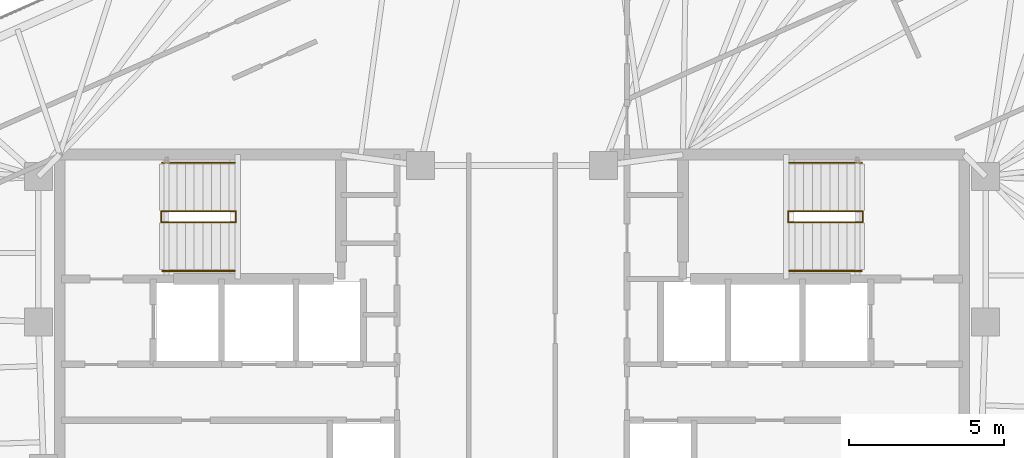
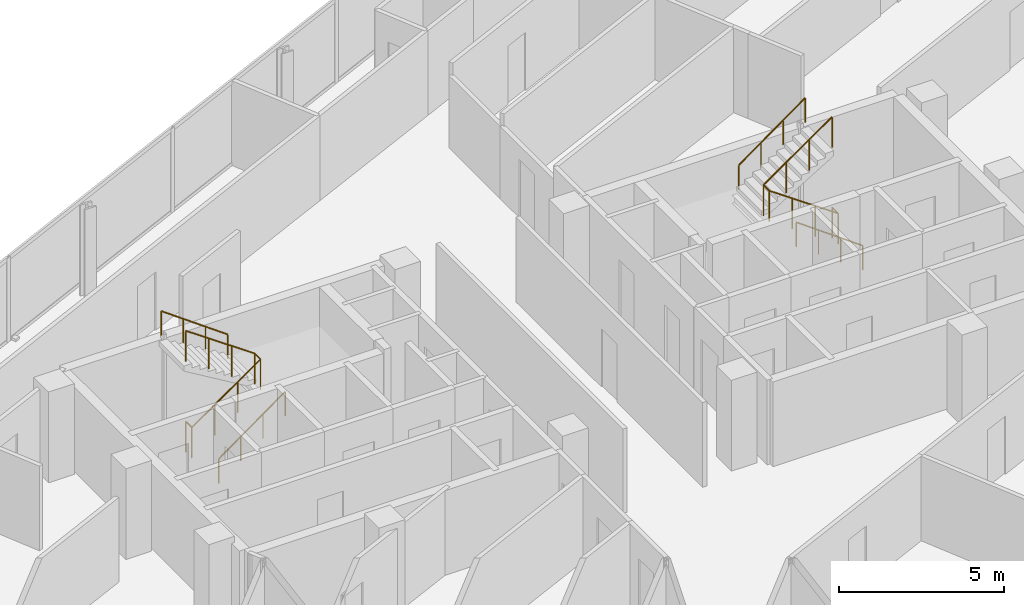
# One storey, part 19 of 19: 6 railings.
"""IFC4 building model written with IfcOpenShell, lengths in metres."""

from ifc_helpers import new_model, si_unit, direction, frame, origin, origin_2d, place, context, subcontext, project, spatial, circle, extrude, material, type_object, element, save


model = new_model("IFC4")

# Units and contexts
model_context = context("Model", 3, precision=1e-05, world=origin(), true_north=direction((0.0, 1.0)))
body_context = subcontext(model_context, "Body", "Model", "MODEL_VIEW")
ifc_project = project(units=[si_unit("LENGTHUNIT", "METRE"), si_unit("AREAUNIT", "SQUARE_METRE"), si_unit("VOLUMEUNIT", "CUBIC_METRE"), si_unit("PLANEANGLEUNIT", "RADIAN"), si_unit("MASSUNIT", "GRAM", prefix="KILO")], contexts=[model_context])

# Site, building, storey
site_placement = place(None, origin())
site = spatial("IfcSite", under=ifc_project, at=site_placement, CompositionType="ELEMENT")
building_placement = place(site_placement, origin())
building = spatial("IfcBuilding", under=site, at=building_placement, Name="Menara Jurai Vektor", CompositionType="ELEMENT")
storey_placement = place(building_placement, frame((0.0, 0.0, 288.60009765625)))
storey = spatial("IfcBuildingStorey", under=building, at=storey_placement, Name="L77", CompositionType="ELEMENT", Elevation=288.60009765625)

# Railings
ifc_material_1 = material(Name="Painted Galvanised Steel Balustrade", Category="steel")
railing_type_1 = type_object("IfcRailingType", Name="RAIL-STAIR-GUARD", PredefinedType="GUARDRAIL", material=ifc_material_1)
railing_1_placement = place(storey_placement, frame((-11.2900390625, 3.780029296875, 0.0)))
element("IfcRailing", 1, at=railing_1_placement, inside=storey, type_object=railing_type_1, Name="ST1 Stair Guardrail 1 L77", PredefinedType="GUARDRAIL", context=body_context, shape_type="SweptSolid", body=[
    extrude(circle(Radius=0.02392578125, at=origin_2d()), frame((0.0, 0.0, 1.1259765625), z_axis=(0.0, -1.0, 0.0), x_axis=(1.0, 0.0, 0.0)), (0.0, 0.0, 1.0), 0.360107421875),
    extrude(circle(Radius=0.02392578125, at=origin_2d()), frame((0.0, -0.360107421875, 1.1259765625), z_axis=(0.820081434478, 0.0, 0.572246835573), x_axis=(0.0, 1.0, 0.0)), (0.0, 0.0, 1.0), 2.9267578125),
    extrude(circle(Radius=0.02392578125, at=origin_2d()), frame((2.400146484375, -0.360107421875, 2.80078125), z_axis=(0.0, 1.0, 0.0), x_axis=(-1.0, 0.0, 0.0)), (0.0, 0.0, 1.0), 0.360107421875),
    extrude(circle(Radius=0.02392578125, at=origin_2d()), frame((2.400146484375, 0.0, 2.80078125), z_axis=(-0.820042287322, 0.0, 0.572302932898), x_axis=(0.0, -1.0, 0.0)), (0.0, 0.0, 1.0), 2.9267578125),
    extrude(circle(Radius=0.02099609375, at=origin_2d()), origin(), (0.0, 0.0, 1.0), 1.101806640625),
    extrude(circle(Radius=0.02099609375, at=origin_2d()), frame((0.0, -0.360107421875, 0.0)), (0.0, 0.0, 1.0), 1.101806640625),
    extrude(circle(Radius=0.02099609375, at=origin_2d()), frame((0.800048828125, -0.360107421875, 0.558349609375)), (0.0, 0.0, 1.0), 1.101806640625),
    extrude(circle(Radius=0.02099609375, at=origin_2d()), frame((1.60009765625, -0.360107421875, 1.116455078125)), (0.0, 0.0, 1.0), 1.101806640625),
    extrude(circle(Radius=0.02099609375, at=origin_2d()), frame((2.400146484375, -0.360107421875, 1.6748046875)), (0.0, 0.0, 1.0), 1.101806640625),
    extrude(circle(Radius=0.02099609375, at=origin_2d()), frame((2.400146484375, 0.0, 1.6748046875)), (0.0, 0.0, 1.0), 1.101806640625),
    extrude(circle(Radius=0.02099609375, at=origin_2d()), frame((1.60009765625, 0.0, 2.233154296875)), (0.0, 0.0, 1.0), 1.101806640625),
    extrude(circle(Radius=0.02099609375, at=origin_2d()), frame((0.800048828125, 0.0, 2.79150390625)), (0.0, 0.0, 1.0), 1.101806640625),
    extrude(circle(Radius=0.02099609375, at=origin_2d()), frame((0.0, 0.0, 3.349853515625)), (0.0, 0.0, 1.0), 1.101806640625),
])
railing_2_placement = place(storey_placement, frame((11.2900390625, 3.780029296875, 0.0)))
element("IfcRailing", 2, at=railing_2_placement, inside=storey, type_object=railing_type_1, Name="ST2 Stair Guardrail 1 L77", PredefinedType="GUARDRAIL", context=body_context, shape_type="SweptSolid", body=[
    extrude(circle(Radius=0.02392578125, at=origin_2d()), frame((0.0, 0.0, 1.1259765625), z_axis=(0.0, -1.0, 0.0), x_axis=(1.0, 0.0, 0.0)), (0.0, 0.0, 1.0), 0.360107421875),
    extrude(circle(Radius=0.02392578125, at=origin_2d()), frame((0.0, -0.360107421875, 1.1259765625), z_axis=(-0.820081434478, 0.0, 0.572246835573), x_axis=(0.0, -1.0, 0.0)), (0.0, 0.0, 1.0), 2.9267578125),
    extrude(circle(Radius=0.02392578125, at=origin_2d()), frame((-2.400146484375, -0.360107421875, 2.80078125), z_axis=(0.0, 1.0, 0.0), x_axis=(-1.0, 0.0, 0.0)), (0.0, 0.0, 1.0), 0.360107421875),
    extrude(circle(Radius=0.02392578125, at=origin_2d()), frame((-2.400146484375, 0.0, 2.80078125), z_axis=(0.820042287322, 0.0, 0.572302932898), x_axis=(0.0, 1.0, 0.0)), (0.0, 0.0, 1.0), 2.9267578125),
    extrude(circle(Radius=0.02099609375, at=origin_2d()), origin(), (0.0, 0.0, 1.0), 1.101806640625),
    extrude(circle(Radius=0.02099609375, at=origin_2d()), frame((0.0, -0.360107421875, 0.0)), (0.0, 0.0, 1.0), 1.101806640625),
    extrude(circle(Radius=0.02099609375, at=origin_2d()), frame((-0.800048828125, -0.360107421875, 0.558349609375)), (0.0, 0.0, 1.0), 1.101806640625),
    extrude(circle(Radius=0.02099609375, at=origin_2d()), frame((-1.60009765625, -0.360107421875, 1.116455078125)), (0.0, 0.0, 1.0), 1.101806640625),
    extrude(circle(Radius=0.02099609375, at=origin_2d()), frame((-2.400146484375, -0.360107421875, 1.6748046875)), (0.0, 0.0, 1.0), 1.101806640625),
    extrude(circle(Radius=0.02099609375, at=origin_2d()), frame((-2.400146484375, 0.0, 1.6748046875)), (0.0, 0.0, 1.0), 1.101806640625),
    extrude(circle(Radius=0.02099609375, at=origin_2d()), frame((-1.60009765625, 0.0, 2.233154296875)), (0.0, 0.0, 1.0), 1.101806640625),
    extrude(circle(Radius=0.02099609375, at=origin_2d()), frame((-0.800048828125, 0.0, 2.79150390625)), (0.0, 0.0, 1.0), 1.101806640625),
    extrude(circle(Radius=0.02099609375, at=origin_2d()), frame((0.0, 0.0, 3.349853515625)), (0.0, 0.0, 1.0), 1.101806640625),
])
ifc_material_2 = material(Name="Brushed Stainless Steel Handrail", Category="steel")
railing_type_2 = type_object("IfcRailingType", Name="RAIL-STAIR-HAND", PredefinedType="HANDRAIL", material=ifc_material_2)
railing_3_placement = place(storey_placement, frame((-11.25, 1.860107421875, 0.0)))
element("IfcRailing", 3, at=railing_3_placement, inside=storey, type_object=railing_type_2, Name="ST1 Stair Handrail 1 L77", PredefinedType="HANDRAIL", context=body_context, shape_type="SweptSolid", body=[
    extrude(circle(Radius=0.02392578125, at=origin_2d()), frame((0.0, 0.0, 0.89599609375), z_axis=(0.810811949412, 0.0, 0.585306742393), x_axis=(0.0, 1.0, 0.0)), (0.0, 0.0, 1.0), 2.861328125),
    extrude(circle(Radius=0.02099609375, at=origin_2d()), origin(), (0.0, 0.0, 1.0), 0.871826171875),
    extrude(circle(Radius=0.02099609375, at=origin_2d()), frame((0.7734375, 0.0, 0.558349609375)), (0.0, 0.0, 1.0), 0.871826171875),
    extrude(circle(Radius=0.02099609375, at=origin_2d()), frame((1.546630859375, 0.0, 1.116455078125)), (0.0, 0.0, 1.0), 0.871826171875),
    extrude(circle(Radius=0.02099609375, at=origin_2d()), frame((2.320068359375, 0.0, 1.6748046875)), (0.0, 0.0, 1.0), 0.871826171875),
])
railing_4_placement = place(storey_placement, frame((-8.929931640625, 5.340087890625, 1.6748046875)))
element("IfcRailing", 4, at=railing_4_placement, inside=storey, type_object=railing_type_2, Name="ST1 Stair Handrail 2 L77", PredefinedType="HANDRAIL", context=body_context, shape_type="SweptSolid", body=[
    extrude(circle(Radius=0.02392578125, at=origin_2d()), frame((0.0, 0.0, 0.89599609375), z_axis=(-0.810771458067, 0.0, 0.585362830032), x_axis=(0.0, -1.0, 0.0)), (0.0, 0.0, 1.0), 2.861572265625),
    extrude(circle(Radius=0.02099609375, at=origin_2d()), origin(), (0.0, 0.0, 1.0), 0.871826171875),
    extrude(circle(Radius=0.02099609375, at=origin_2d()), frame((-0.7734375, 0.0, 0.558349609375)), (0.0, 0.0, 1.0), 0.871826171875),
    extrude(circle(Radius=0.02099609375, at=origin_2d()), frame((-1.546630859375, 0.0, 1.11669921875)), (0.0, 0.0, 1.0), 0.871826171875),
    extrude(circle(Radius=0.02099609375, at=origin_2d()), frame((-2.320068359375, 0.0, 1.675048828125)), (0.0, 0.0, 1.0), 0.871826171875),
])
railing_5_placement = place(storey_placement, frame((11.25, 1.860107421875, 0.0)))
element("IfcRailing", 5, at=railing_5_placement, inside=storey, type_object=railing_type_2, Name="ST2 Stair Handrail 1 L77", PredefinedType="HANDRAIL", context=body_context, shape_type="SweptSolid", body=[
    extrude(circle(Radius=0.02392578125, at=origin_2d()), frame((0.0, 0.0, 0.89599609375), z_axis=(-0.810811949412, 0.0, 0.585306742393), x_axis=(0.0, -1.0, 0.0)), (0.0, 0.0, 1.0), 2.861328125),
    extrude(circle(Radius=0.02099609375, at=origin_2d()), origin(), (0.0, 0.0, 1.0), 0.871826171875),
    extrude(circle(Radius=0.02099609375, at=origin_2d()), frame((-0.7734375, 0.0, 0.558349609375)), (0.0, 0.0, 1.0), 0.871826171875),
    extrude(circle(Radius=0.02099609375, at=origin_2d()), frame((-1.546630859375, 0.0, 1.116455078125)), (0.0, 0.0, 1.0), 0.871826171875),
    extrude(circle(Radius=0.02099609375, at=origin_2d()), frame((-2.320068359375, 0.0, 1.6748046875)), (0.0, 0.0, 1.0), 0.871826171875),
])
railing_6_placement = place(storey_placement, frame((8.929931640625, 5.340087890625, 1.6748046875)))
element("IfcRailing", 6, at=railing_6_placement, inside=storey, type_object=railing_type_2, Name="ST2 Stair Handrail 2 L77", PredefinedType="HANDRAIL", context=body_context, shape_type="SweptSolid", body=[
    extrude(circle(Radius=0.02392578125, at=origin_2d()), frame((0.0, 0.0, 0.89599609375), z_axis=(0.810771458067, 0.0, 0.585362830032), x_axis=(0.0, 1.0, 0.0)), (0.0, 0.0, 1.0), 2.861572265625),
    extrude(circle(Radius=0.02099609375, at=origin_2d()), origin(), (0.0, 0.0, 1.0), 0.871826171875),
    extrude(circle(Radius=0.02099609375, at=origin_2d()), frame((0.7734375, 0.0, 0.558349609375)), (0.0, 0.0, 1.0), 0.871826171875),
    extrude(circle(Radius=0.02099609375, at=origin_2d()), frame((1.546630859375, 0.0, 1.11669921875)), (0.0, 0.0, 1.0), 0.871826171875),
    extrude(circle(Radius=0.02099609375, at=origin_2d()), frame((2.320068359375, 0.0, 1.675048828125)), (0.0, 0.0, 1.0), 0.871826171875),
])

save(model, "model.ifc")
